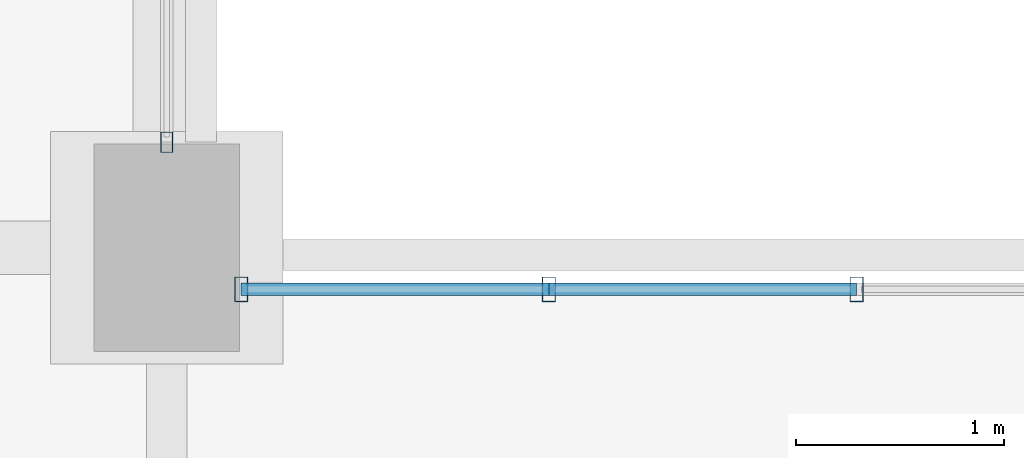
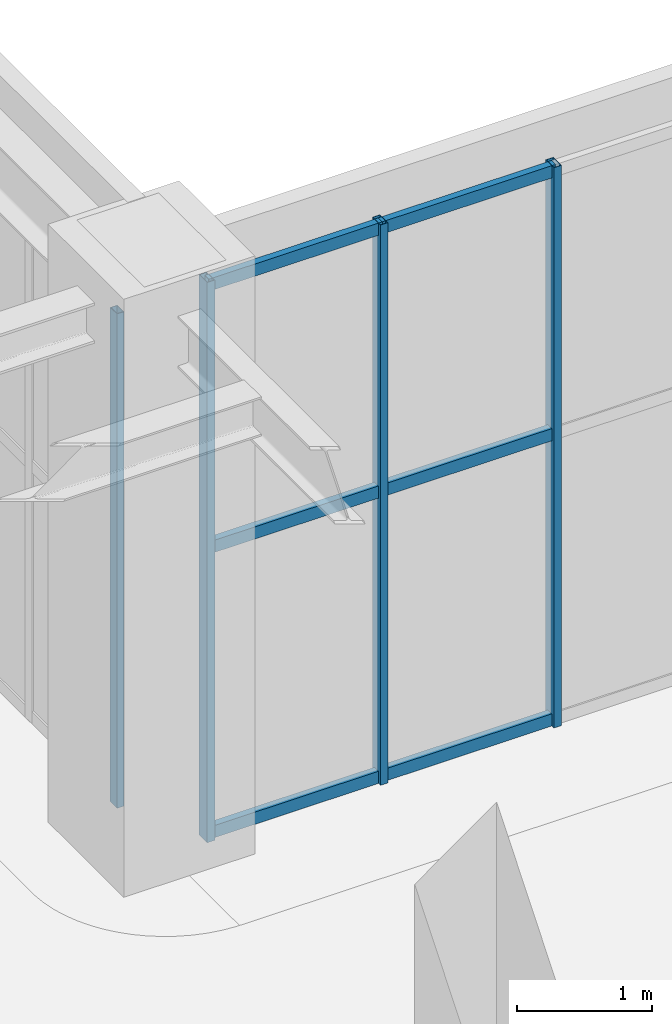
# One storey, part 107 of 164: 10 members, 2 elements without a shape of their own.
"""IFC4 building model written with IfcOpenShell, lengths in metres."""

from ifc_helpers import new_model, si_unit, direction, frame, origin, origin_2d, place, context, subcontext, project, spatial, hollow_rectangle, extrude, material, material_profile, profile_set, type_object, element, aggregate, save


model = new_model("IFC4")

# Units and contexts
model_context = context("Model", 3, precision=1e-05, world=origin(), true_north=direction((0.0, 1.0)))
body_context = subcontext(model_context, "Body", "Model", "MODEL_VIEW")
ifc_project = project(units=[si_unit("LENGTHUNIT", "METRE"), si_unit("AREAUNIT", "SQUARE_METRE"), si_unit("VOLUMEUNIT", "CUBIC_METRE"), si_unit("PLANEANGLEUNIT", "RADIAN"), si_unit("MASSUNIT", "GRAM", prefix="KILO")], contexts=[model_context])

# Site, building, storey
site_placement = place(None, origin())
site = spatial("IfcSite", under=ifc_project, at=site_placement, CompositionType="ELEMENT")
building_placement = place(site_placement, origin())
building = spatial("IfcBuilding", under=site, at=building_placement, Name="Mavantir Sound Aquarium", CompositionType="ELEMENT")
storey_placement = place(building_placement, origin())
storey = spatial("IfcBuildingStorey", under=building, at=storey_placement, Name="L00", CompositionType="ELEMENT", Elevation=0.0)

# Curtain wall, member
ifc_material_1 = material(Name="Anodised Marine Aluminium and Low-E Glass", Category="aluminium")
curtain_wall_type_1 = type_object("IfcCurtainWallType", Name="CW-T05", PredefinedType="USERDEFINED", material=ifc_material_1)
curtain_wall_1_placement = place(storey_placement, origin())
curtain_wall_1 = element("IfcCurtainWall", 1, at=curtain_wall_1_placement, inside=storey, type_object=curtain_wall_type_1, Name="L00 unitised curtain wall CW-05 29", ObjectType="UNITISED GLAZING", PredefinedType="USERDEFINED")
ifc_material_2 = material(Name="Anodised Marine Aluminium 6063-T6", Category="aluminium")
ifc_material_profile_1 = material_profile(ifc_material_2, hollow_rectangle(XDim=0.06005859375, YDim=0.10009765625, WallThickness=0.00390625, at=origin_2d()), Name="ALU-MULLION-100X60")
ifc_profile_set_1 = profile_set([ifc_material_profile_1], Name="Anodised Marine Aluminium 6063-T6")
member_type_1 = type_object("IfcMemberType", Name="CW-MUL-100", PredefinedType="MULLION", material=ifc_profile_set_1)
member_1_placement = place(storey_placement, frame((156.0, 71.30810546875, 0.0), z_axis=(0.0, 0.0, 1.0), x_axis=(1.0, 0.0, 0.0)))
member_1 = element("IfcMember", 2, at=member_1_placement, type_object=member_type_1, Name="CW-L00-029 vertical mullion 1", PredefinedType="MULLION", context=body_context, shape_type="SweptSolid", body=[
    extrude(hollow_rectangle(XDim=0.06005859375, YDim=0.10009765625, WallThickness=0.00390625, at=origin_2d()), origin(), (0.0, 0.0, 1.0), 4.465087890625),
])
aggregate(curtain_wall_1, [member_1])

# Curtain wall, members
curtain_wall_type_2 = type_object("IfcCurtainWallType", Name="CW-T04", PredefinedType="USERDEFINED", material=ifc_material_1)
curtain_wall_2_placement = place(storey_placement, origin())
curtain_wall_2 = element("IfcCurtainWall", 3, at=curtain_wall_2_placement, inside=storey, type_object=curtain_wall_type_2, Name="L00 unitised curtain wall CW-04 28", ObjectType="UNITISED GLAZING", PredefinedType="USERDEFINED")
ifc_material_profile_2 = material_profile(ifc_material_2, hollow_rectangle(XDim=0.06494140625, YDim=0.1201171875, WallThickness=0.00390625, at=origin_2d()), Name="ALU-MULLION-120X65")
ifc_profile_set_2 = profile_set([ifc_material_profile_2], Name="Anodised Marine Aluminium 6063-T6")
member_type_2 = type_object("IfcMemberType", Name="CW-MUL-120", PredefinedType="MULLION", material=ifc_profile_set_2)
member_2_placement = place(storey_placement, frame((159.3193359375, 70.60009765625, 0.0), z_axis=(0.0, 0.0, 1.0), x_axis=(1.0, 0.0, 0.0)))
member_2 = element("IfcMember", 4, at=member_2_placement, type_object=member_type_2, Name="CW-L00-028 vertical mullion 5", PredefinedType="MULLION", context=body_context, shape_type="SweptSolid", body=[
    extrude(hollow_rectangle(XDim=0.06494140625, YDim=0.1201171875, WallThickness=0.00390625, at=origin_2d()), origin(), (0.0, 0.0, 1.0), 5.06005859375),
])
member_3_placement = place(storey_placement, frame((157.838623046875, 70.60009765625, 0.0), z_axis=(0.0, 0.0, 1.0), x_axis=(1.0, 0.0, 0.0)))
member_3 = element("IfcMember", 5, at=member_3_placement, type_object=member_type_2, Name="CW-L00-028 vertical mullion 6", PredefinedType="MULLION", context=body_context, shape_type="SweptSolid", body=[
    extrude(hollow_rectangle(XDim=0.06494140625, YDim=0.1201171875, WallThickness=0.00390625, at=origin_2d()), origin(), (0.0, 0.0, 1.0), 5.06005859375),
])
member_4_placement = place(storey_placement, frame((156.35791015625, 70.60009765625, 0.0), z_axis=(0.0, 0.0, 1.0), x_axis=(1.0, 0.0, 0.0)))
member_4 = element("IfcMember", 6, at=member_4_placement, type_object=member_type_2, Name="CW-L00-028 vertical mullion 7", PredefinedType="MULLION", context=body_context, shape_type="SweptSolid", body=[
    extrude(hollow_rectangle(XDim=0.06494140625, YDim=0.1201171875, WallThickness=0.00390625, at=origin_2d()), origin(), (0.0, 0.0, 1.0), 5.06005859375),
])
ifc_material_profile_3 = material_profile(ifc_material_2, hollow_rectangle(XDim=0.06005859375, YDim=0.110107421875, WallThickness=0.00390625, at=origin_2d()), Name="ALU-TRANSOM-110X60")
ifc_profile_set_3 = profile_set([ifc_material_profile_3], Name="Anodised Marine Aluminium 6063-T6")
member_type_3 = type_object("IfcMemberType", Name="CW-TRN-110", PredefinedType="USERDEFINED", material=ifc_profile_set_3)
member_5_placement = place(storey_placement, frame((159.3193359375, 70.60009765625, 0.054931640625), z_axis=(-1.0, 0.0, 0.0), x_axis=(0.0, -1.0, 0.0)))
member_5 = element("IfcMember", 7, at=member_5_placement, type_object=member_type_3, Name="CW-L00-028 transom 5.1", ObjectType="TRANSOM", PredefinedType="USERDEFINED", context=body_context, shape_type="SweptSolid", body=[
    extrude(hollow_rectangle(XDim=0.06005859375, YDim=0.110107421875, WallThickness=0.00390625, at=origin_2d()), origin(), (0.0, 0.0, 1.0), 1.480712890625),
])
member_6_placement = place(storey_placement, frame((159.3193359375, 70.60009765625, 2.631103515625), z_axis=(-1.0, 0.0, 0.0), x_axis=(0.0, -1.0, 0.0)))
member_6 = element("IfcMember", 8, at=member_6_placement, type_object=member_type_3, Name="CW-L00-028 transom 5.2", ObjectType="TRANSOM", PredefinedType="USERDEFINED", context=body_context, shape_type="SweptSolid", body=[
    extrude(hollow_rectangle(XDim=0.06005859375, YDim=0.110107421875, WallThickness=0.00390625, at=origin_2d()), origin(), (0.0, 0.0, 1.0), 1.480712890625),
])
member_7_placement = place(storey_placement, frame((159.3193359375, 70.60009765625, 5.0048828125), z_axis=(-1.0, 0.0, 0.0), x_axis=(0.0, -1.0, 0.0)))
member_7 = element("IfcMember", 9, at=member_7_placement, type_object=member_type_3, Name="CW-L00-028 transom 5.3", ObjectType="TRANSOM", PredefinedType="USERDEFINED", context=body_context, shape_type="SweptSolid", body=[
    extrude(hollow_rectangle(XDim=0.06005859375, YDim=0.110107421875, WallThickness=0.00390625, at=origin_2d()), origin(), (0.0, 0.0, 1.0), 1.480712890625),
])
member_8_placement = place(storey_placement, frame((157.838623046875, 70.60009765625, 0.054931640625), z_axis=(-1.0, 0.0, 0.0), x_axis=(0.0, -1.0, 0.0)))
member_8 = element("IfcMember", 10, at=member_8_placement, type_object=member_type_3, Name="CW-L00-028 transom 6.1", ObjectType="TRANSOM", PredefinedType="USERDEFINED", context=body_context, shape_type="SweptSolid", body=[
    extrude(hollow_rectangle(XDim=0.06005859375, YDim=0.110107421875, WallThickness=0.00390625, at=origin_2d()), origin(), (0.0, 0.0, 1.0), 1.480712890625),
])
member_9_placement = place(storey_placement, frame((157.838623046875, 70.60009765625, 2.631103515625), z_axis=(-1.0, 0.0, 0.0), x_axis=(0.0, -1.0, 0.0)))
member_9 = element("IfcMember", 11, at=member_9_placement, type_object=member_type_3, Name="CW-L00-028 transom 6.2", ObjectType="TRANSOM", PredefinedType="USERDEFINED", context=body_context, shape_type="SweptSolid", body=[
    extrude(hollow_rectangle(XDim=0.06005859375, YDim=0.110107421875, WallThickness=0.00390625, at=origin_2d()), origin(), (0.0, 0.0, 1.0), 1.480712890625),
])
member_10_placement = place(storey_placement, frame((157.838623046875, 70.60009765625, 5.0048828125), z_axis=(-1.0, 0.0, 0.0), x_axis=(0.0, -1.0, 0.0)))
member_10 = element("IfcMember", 12, at=member_10_placement, type_object=member_type_3, Name="CW-L00-028 transom 6.3", ObjectType="TRANSOM", PredefinedType="USERDEFINED", context=body_context, shape_type="SweptSolid", body=[
    extrude(hollow_rectangle(XDim=0.06005859375, YDim=0.110107421875, WallThickness=0.00390625, at=origin_2d()), origin(), (0.0, 0.0, 1.0), 1.480712890625),
])
aggregate(curtain_wall_2, [member_2, member_3, member_4, member_5, member_6, member_7, member_8, member_9, member_10])

save(model, "model.ifc")
